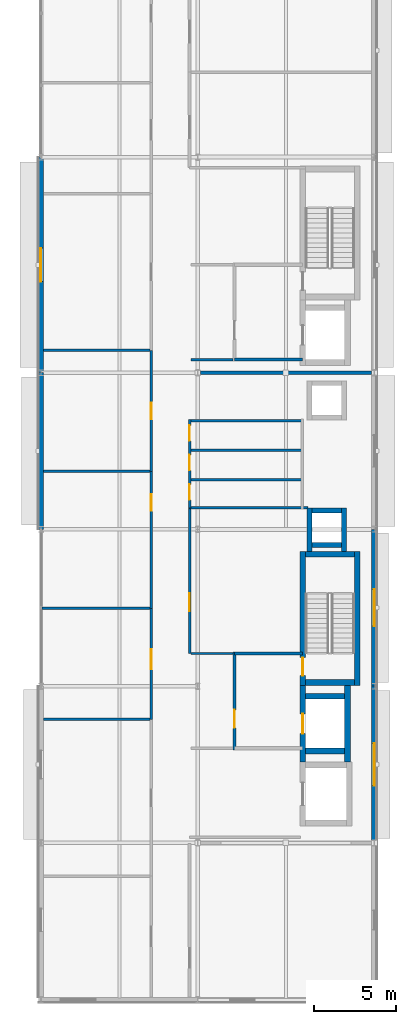
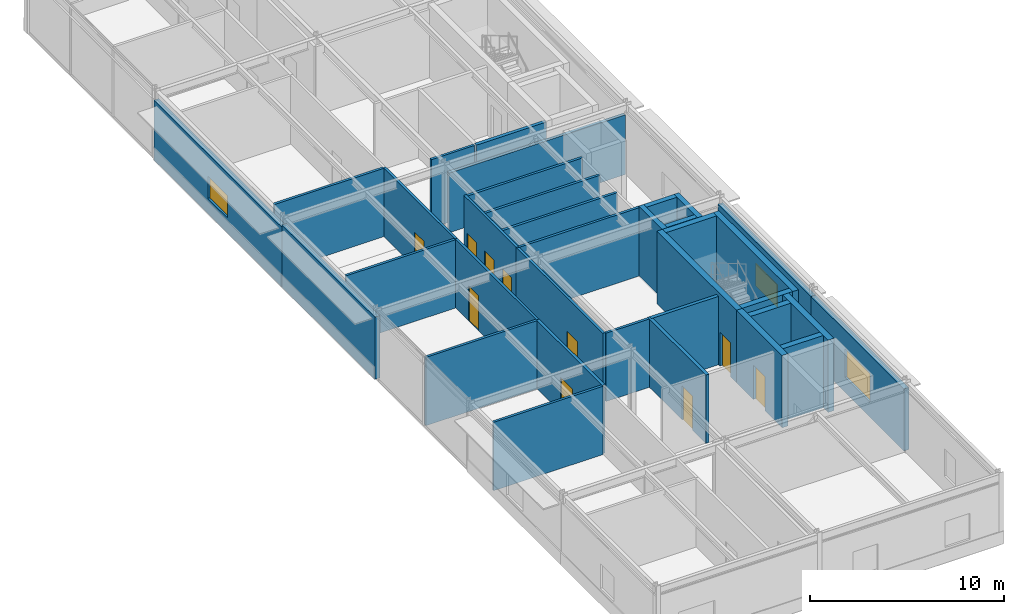
# One storey, part 12 of 17: 35 walls, 10 doors, 3 windows, 13 openings.
"""IFC4 building model written with IfcOpenShell, lengths in metres."""

from ifc_helpers import new_model, si_unit, direction, frame, frame_2d, origin, place, context, subcontext, project, spatial, rectangle, extrude, material, layer, layer_set, type_object, element, fill, save


model = new_model("IFC4")

# Units and contexts
model_context = context("Model", 3, precision=1e-05, world=origin(), true_north=direction((0.0, 1.0)))
body_context = subcontext(model_context, "Body", "Model", "MODEL_VIEW")
ifc_project = project(units=[si_unit("LENGTHUNIT", "METRE"), si_unit("AREAUNIT", "SQUARE_METRE"), si_unit("VOLUMEUNIT", "CUBIC_METRE"), si_unit("PLANEANGLEUNIT", "RADIAN"), si_unit("MASSUNIT", "GRAM", prefix="KILO")], contexts=[model_context])

# Site, building, storey
site_placement = place(None, origin())
site = spatial("IfcSite", under=ifc_project, at=site_placement, CompositionType="ELEMENT")
building_placement = place(site_placement, origin())
building = spatial("IfcBuilding", under=site, at=building_placement, Name="Almandine Court Research Institute", CompositionType="ELEMENT")
storey_placement = place(building_placement, frame((0.0, 0.0, 32.550048828125)))
storey = spatial("IfcBuildingStorey", under=building, at=storey_placement, Name="L07", CompositionType="ELEMENT", Elevation=32.550048828125)

# Wall
ifc_material_1 = material(Name="Insulated Ochre Terracotta Rainscreen Wall", Category="masonry")
ifc_layer_1 = layer(ifc_material_1, 0.2900390625)
ifc_layer_set_1 = layer_set([ifc_layer_1], Name="Insulated Ochre Terracotta Rainscreen Wall")
wall_type_1 = type_object("IfcWallType", Name="Wall-EXT-TERR-290", PredefinedType="SOLIDWALL", material=ifc_layer_set_1)
wall_1_placement = place(storey_placement, frame((153.60009765625, 34.803955078125, 0.0), z_axis=(0.0, 0.0, 1.0), x_axis=(0.0, 1.0, 0.0)))
element("IfcWall", 1, at=wall_1_placement, inside=storey, type_object=wall_type_1, Name="L07 Wet Lab West Facade Wall 4", PredefinedType="SOLIDWALL", context=body_context, shape_type="SweptSolid", body=[
    extrude(rectangle(XDim=9.592041015625, YDim=0.2900390625, at=frame_2d((4.7958984375, 0.0))), origin(), (0.0, 0.0, 1.0), 3.908935546875),
])

# Wall, opening, window
wall_2_placement = place(storey_placement, frame((153.60009765625, 44.404052734375, 0.0), z_axis=(0.0, 0.0, 1.0), x_axis=(0.0, 1.0, 0.0)))
wall_2 = element("IfcWall", 2, at=wall_2_placement, inside=storey, type_object=wall_type_1, Name="L07 Wet Lab West Facade Wall 5", PredefinedType="SOLIDWALL", context=body_context, shape_type="SweptSolid", body=[
    extrude(rectangle(XDim=13.19189453125, YDim=0.2900390625, at=frame_2d((6.595947265625, 0.0))), origin(), (0.0, 0.0, 1.0), 3.7568359375),
])
opening_1_placement = place(wall_2_placement, frame((5.575927734375, 0.0, 0.949951171875)))
opening_1 = element("IfcOpeningElement", 3, at=opening_1_placement, cuts=wall_2, Name="Opening WN-76", PredefinedType="OPENING", context=body_context, shape_type="SweptSolid", body=[
    extrude(rectangle(XDim=2.0400390625, YDim=1.39990234375, at=frame_2d((1.02001953125, 0.699951171875))), frame((0.0, 0.155029296875, 0.0), z_axis=(0.0, -1.0, 0.0), x_axis=(1.0, 0.0, 0.0)), (0.0, 0.0, 1.0), 0.31005859375),
])
ifc_material_2 = material(Name="Thermally Broken Low-E Double-Glazed Window", Category="glass")
window_type_1 = type_object("IfcWindowType", Name="Win-WN-76-2040x1400", PartitioningType="SINGLE_PANEL", PredefinedType="WINDOW", material=ifc_material_2)
window_1_placement = place(opening_1_placement, origin())
window_1 = element("IfcWindow", 4, at=window_1_placement, inside=storey, type_object=window_type_1, Name="L07 Modular Recessed Low-E Window 172", OverallHeight=1.39990234375, OverallWidth=2.0400390625, PartitioningType="SINGLE_PANEL", PredefinedType="WINDOW", context=body_context, shape_type="SweptSolid", body=[
    extrude(rectangle(XDim=2.0400390625, YDim=1.39990234375, at=frame_2d((1.02001953125, 0.699951171875))), frame((0.0, 0.030029296875, 0.0), z_axis=(0.0, -1.0, 0.0), x_axis=(1.0, 0.0, 0.0)), (0.0, 0.0, 1.0), 0.06005859375),
])
fill(opening_1, window_1)

wall_3_placement = place(storey_placement, frame((174.0, 34.7958984375, 0.0), z_axis=(0.0, 0.0, 1.0), x_axis=(0.0, -1.0, 0.0)))
wall_3 = element("IfcWall", 5, at=wall_3_placement, inside=storey, type_object=wall_type_1, Name="L07 Wet Lab East Facade Wall 3", PredefinedType="SOLIDWALL", context=body_context, shape_type="SweptSolid", body=[
    extrude(rectangle(XDim=9.591796875, YDim=0.2900390625, at=frame_2d((4.7958984375, 0.0))), origin(), (0.0, 0.0, 1.0), 3.89892578125),
])
opening_2_placement = place(wall_3_placement, frame((3.666015625, 0.0, 0.949951171875)))
opening_2 = element("IfcOpeningElement", 6, at=opening_2_placement, cuts=wall_3, Name="Opening WN-92", PredefinedType="OPENING", context=body_context, shape_type="SweptSolid", body=[
    extrude(rectangle(XDim=2.260009765625, YDim=1.39990234375, at=frame_2d((1.1298828125, 0.699951171875))), frame((0.0, 0.155029296875, 0.0), z_axis=(0.0, -1.0, 0.0), x_axis=(1.0, 0.0, 0.0)), (0.0, 0.0, 1.0), 0.31005859375),
])
window_type_2 = type_object("IfcWindowType", Name="Win-WN-92-2260x1400", PartitioningType="SINGLE_PANEL", PredefinedType="WINDOW", material=ifc_material_2)
window_2_placement = place(opening_2_placement, origin())
window_2 = element("IfcWindow", 7, at=window_2_placement, inside=storey, type_object=window_type_2, Name="L07 Modular Recessed Low-E Window 178", OverallHeight=1.39990234375, OverallWidth=2.260009765625, PartitioningType="SINGLE_PANEL", PredefinedType="WINDOW", context=body_context, shape_type="SweptSolid", body=[
    extrude(rectangle(XDim=2.260009765625, YDim=1.39990234375, at=frame_2d((1.1298828125, 0.699951171875))), frame((0.0, 0.030029296875, 0.0), z_axis=(0.0, -1.0, 0.0), x_axis=(1.0, 0.0, 0.0)), (0.0, 0.0, 1.0), 0.06005859375),
])
fill(opening_2, window_2)

wall_4_placement = place(storey_placement, frame((174.0, 25.196044921875, 0.0), z_axis=(0.0, 0.0, 1.0), x_axis=(0.0, -1.0, 0.0)))
wall_4 = element("IfcWall", 8, at=wall_4_placement, inside=storey, type_object=wall_type_1, Name="L07 Wet Lab East Facade Wall 2", PredefinedType="SOLIDWALL", context=body_context, shape_type="SweptSolid", body=[
    extrude(rectangle(XDim=9.592041015625, YDim=0.2900390625, at=frame_2d((4.7958984375, 0.0))), origin(), (0.0, 0.0, 1.0), 3.89892578125),
])
opening_3_placement = place(wall_4_placement, frame((3.5009765625, 0.0, 0.949951171875)))
opening_3 = element("IfcOpeningElement", 9, at=opening_3_placement, cuts=wall_4, Name="Opening WN-13", PredefinedType="OPENING", context=body_context, shape_type="SweptSolid", body=[
    extrude(rectangle(XDim=2.590087890625, YDim=1.800048828125, at=frame_2d((1.294921875, 0.89990234375))), frame((0.0, 0.155029296875, 0.0), z_axis=(0.0, -1.0, 0.0), x_axis=(1.0, 0.0, 0.0)), (0.0, 0.0, 1.0), 0.31005859375),
])
window_type_3 = type_object("IfcWindowType", Name="Win-WN-13-2590x1800", PartitioningType="SINGLE_PANEL", PredefinedType="WINDOW", material=ifc_material_2)
window_3_placement = place(opening_3_placement, origin())
window_3 = element("IfcWindow", 10, at=window_3_placement, inside=storey, type_object=window_type_3, Name="L07 Modular Recessed Low-E Window 179", OverallHeight=1.800048828125, OverallWidth=2.590087890625, PartitioningType="SINGLE_PANEL", PredefinedType="WINDOW", context=body_context, shape_type="SweptSolid", body=[
    extrude(rectangle(XDim=2.590087890625, YDim=1.800048828125, at=frame_2d((1.294921875, 0.89990234375))), frame((0.0, 0.030029296875, 0.0), z_axis=(0.0, -1.0, 0.0), x_axis=(1.0, 0.0, 0.0)), (0.0, 0.0, 1.0), 0.06005859375),
])
fill(opening_3, window_3)

# Wall, opening, door
ifc_material_3 = material(Name="One-Hour Fire-Rated Laboratory Partition")
ifc_layer_2 = layer(ifc_material_3, 0.175048828125)
ifc_layer_set_2 = layer_set([ifc_layer_2], Name="One-Hour Fire-Rated Laboratory Partition")
wall_type_2 = type_object("IfcWallType", Name="Wall-FIRE-175", PredefinedType="PARTITIONING", material=ifc_layer_set_2)
wall_5_placement = place(storey_placement, frame((160.35009765625, 23.159912109375, 0.0), z_axis=(0.0, 0.0, 1.0), x_axis=(0.0, 1.0, 0.0)))
wall_5 = element("IfcWall", 11, at=wall_5_placement, inside=storey, type_object=wall_type_2, Name="L07 Interior Partition W-V4-L07-WW-2", PredefinedType="PARTITIONING", context=body_context, shape_type="SweptSolid", body=[
    extrude(rectangle(XDim=6.800048828125, YDim=0.175048828125, at=frame_2d((3.39990234375, 0.0))), origin(), (0.0, 0.0, 1.0), 4.300048828125),
])
opening_4_placement = place(wall_5_placement, frame((3.090087890625, 0.0, 0.0)))
opening_4 = element("IfcOpeningElement", 12, at=opening_4_placement, cuts=wall_5, Name="Opening FD-LAB", PredefinedType="OPENING", context=body_context, shape_type="SweptSolid", body=[
    extrude(rectangle(XDim=1.199951171875, YDim=2.199951171875, at=frame_2d((0.60009765625, 1.10009765625))), frame((0.0, 0.097412109375, 0.0), z_axis=(0.0, -1.0, 0.0), x_axis=(1.0, 0.0, 0.0)), (0.0, 0.0, 1.0), 0.195068359375),
])
ifc_material_4 = material(Name="Fire-Rated Laboratory Containment Door")
door_type_1 = type_object("IfcDoorType", Name="Door-FD-LAB-1200", OperationType="NOTDEFINED", PredefinedType="DOOR", material=ifc_material_4)
door_1_placement = place(opening_4_placement, origin())
door_1 = element("IfcDoor", 13, at=door_1_placement, inside=storey, type_object=door_type_1, Name="L07 Biosciences BSL-2 Laboratory Door", OperationType="SINGLE_SWING_RIGHT", OverallHeight=2.199951171875, OverallWidth=1.199951171875, PredefinedType="DOOR", context=body_context, shape_type="SweptSolid", body=[
    extrude(rectangle(XDim=1.199951171875, YDim=2.199951171875, at=frame_2d((0.60009765625, 1.10009765625))), frame((0.0, 0.02490234375, 0.0), z_axis=(0.0, -1.0, 0.0), x_axis=(1.0, 0.0, 0.0)), (0.0, 0.0, 1.0), 0.050048828125),
])
fill(opening_4, door_1)

# Wall
ifc_material_5 = material(Name="Two-Hour Fire-Barrier Enclosure Wall")
ifc_layer_3 = layer(ifc_material_5, 0.199951171875)
ifc_layer_set_3 = layer_set([ifc_layer_3], Name="Two-Hour Fire-Barrier Enclosure Wall")
wall_type_3 = type_object("IfcWallType", Name="Wall-FIRE-200", PredefinedType="SOLIDWALL", material=ifc_layer_set_3)
wall_6_placement = place(storey_placement, frame((163.360107421875, 44.39990234375, 0.0), z_axis=(0.0, 0.0, 1.0), x_axis=(1.0, 0.0, 0.0)))
element("IfcWall", 14, at=wall_6_placement, inside=storey, type_object=wall_type_3, Name="L07 Interior Partition W-BF-V4-BF2-L07", PredefinedType="SOLIDWALL", context=body_context, shape_type="SweptSolid", body=[
    extrude(rectangle(XDim=10.47998046875, YDim=0.199951171875, at=frame_2d((5.239990234375, 0.0))), origin(), (0.0, 0.0, 1.0), 3.7529296875),
])

# Wall, opening, door
wall_7_placement = place(storey_placement, frame((165.449951171875, 21.300048828125, 0.0), z_axis=(0.0, 0.0, 1.0), x_axis=(0.0, 1.0, 0.0)))
wall_7 = element("IfcWall", 15, at=wall_7_placement, inside=storey, type_object=wall_type_3, Name="L07 Interior Partition W-FFL1-L07-W", PredefinedType="SOLIDWALL", context=body_context, shape_type="SweptSolid", body=[
    extrude(rectangle(XDim=6.0, YDim=0.199951171875, at=frame_2d((3.0, 0.0))), origin(), (0.0, 0.0, 1.0), 4.300048828125),
])
opening_5_placement = place(wall_7_placement, frame((1.35009765625, 0.0, 0.0)))
opening_5 = element("IfcOpeningElement", 16, at=opening_5_placement, cuts=wall_7, Name="Opening FD-FFL", PredefinedType="OPENING", context=body_context, shape_type="SweptSolid", body=[
    extrude(rectangle(XDim=1.10009765625, YDim=2.14990234375, at=frame_2d((0.550048828125, 1.074951171875))), frame((0.0, 0.10986328125, 0.0), z_axis=(0.0, -1.0, 0.0), x_axis=(1.0, 0.0, 0.0)), (0.0, 0.0, 1.0), 0.219970703125),
])
ifc_material_6 = material(Name="Smoke-Tight Firefighting Lobby Fire Door")
door_type_2 = type_object("IfcDoorType", Name="Door-FD-FFL-1100", OperationType="NOTDEFINED", PredefinedType="DOOR", material=ifc_material_6)
door_2_placement = place(opening_5_placement, origin())
door_2 = element("IfcDoor", 17, at=door_2_placement, inside=storey, type_object=door_type_2, Name="L07 Firefighting Lobby Fire Door 1", OperationType="SINGLE_SWING_LEFT", OverallHeight=2.14990234375, OverallWidth=1.10009765625, PredefinedType="DOOR", context=body_context, shape_type="SweptSolid", body=[
    extrude(rectangle(XDim=1.10009765625, YDim=2.14990234375, at=frame_2d((0.550048828125, 1.074951171875))), frame((0.0, 0.02490234375, 0.0), z_axis=(0.0, -1.0, 0.0), x_axis=(1.0, 0.0, 0.0)), (0.0, 0.0, 1.0), 0.050048828125),
])
fill(opening_5, door_2)

# Walls
for number, where, z_axis, x_axis, name in (
    (18, (165.449951171875, 27.199951171875, 0.0), (0.0, 0.0, 1.0), (1.0, 0.0, 0.0), "L07 Interior Partition W-FFL1-L07-N"),
    (19, (165.449951171875, 45.199951171875, 0.0), (0.0, 0.0, 1.0), (1.0, 0.0, 0.0), "L07 Interior Partition W-FFL2-L07-S"),
):
    element("IfcWall", number, at=place(storey_placement, frame(where, z_axis=z_axis, x_axis=x_axis)), inside=storey, type_object=wall_type_3, Name=name, PredefinedType="SOLIDWALL", context=body_context, shape_type="SweptSolid", body=[
        extrude(rectangle(XDim=4.150146484375, YDim=0.199951171875, at=frame_2d((2.0751953125, 0.0))), origin(), (0.0, 0.0, 1.0), 4.300048828125),
    ])
ifc_material_7 = material(Name="Acoustic Steel-Stud Gypsum Partition Wall", Category="steel")
ifc_layer_4 = layer(ifc_material_7, 0.14990234375)
ifc_layer_set_4 = layer_set([ifc_layer_4], Name="Acoustic Steel-Stud Gypsum Partition Wall")
wall_type_4 = type_object("IfcWallType", Name="Wall-PART-150", PredefinedType="PARTITIONING", material=ifc_layer_set_4)
for number, where, z_axis, x_axis, name in (
    (20, (162.699951171875, 37.85009765625, 0.0), (0.0, 0.0, 1.0), (1.0, 0.0, 0.0), "L07 Interior Partition W-V4-L07-WCH-1"),
    (21, (162.699951171875, 39.64990234375, 0.0), (0.0, 0.0, 1.0), (1.0, 0.0, 0.0), "L07 Interior Partition W-V4-L07-WCH-2"),
    (22, (162.699951171875, 41.449951171875, 0.0), (0.0, 0.0, 1.0), (1.0, 0.0, 0.0), "L07 Interior Partition W-V4-L07-WCH-3"),
):
    element("IfcWall", number, at=place(storey_placement, frame(where, z_axis=z_axis, x_axis=x_axis)), inside=storey, type_object=wall_type_4, Name=name, PredefinedType="PARTITIONING", context=body_context, shape_type="SweptSolid", body=[
        extrude(rectangle(XDim=6.900146484375, YDim=0.14990234375, at=frame_2d((3.4501953125, 0.0))), origin(), (0.0, 0.0, 1.0), 4.300048828125),
    ])
wall_8_placement = place(storey_placement, frame((162.699951171875, 36.1201171875, 0.0), z_axis=(0.0, 0.0, 1.0), x_axis=(1.0, 0.0, 0.0)))
element("IfcWall", 23, at=wall_8_placement, inside=storey, type_object=wall_type_4, Name="L07 Interior Partition W-V4-L07-WCS", PredefinedType="PARTITIONING", context=body_context, shape_type="SweptSolid", body=[
    extrude(rectangle(XDim=7.25, YDim=0.14990234375, at=frame_2d((3.625, 0.0))), origin(), (0.0, 0.0, 1.0), 4.300048828125),
])

# Wall, openings, doors
wall_9_placement = place(storey_placement, frame((162.699951171875, 36.1201171875, 0.0), z_axis=(0.0, 0.0, 1.0), x_axis=(0.0, 1.0, 0.0)))
wall_9 = element("IfcWall", 24, at=wall_9_placement, inside=storey, type_object=wall_type_4, Name="L07 Interior Partition W-V4-L07-WC-ALL", PredefinedType="PARTITIONING", context=body_context, shape_type="SweptSolid", body=[
    extrude(rectangle(XDim=5.39990234375, YDim=0.14990234375, at=frame_2d((2.699951171875, 0.0))), origin(), (0.0, 0.0, 1.0), 4.300048828125),
])
opening_6_placement = place(wall_9_placement, frame((0.47998046875, 0.0, 0.0)))
opening_6 = element("IfcOpeningElement", 25, at=opening_6_placement, cuts=wall_9, Name="Opening D-01", PredefinedType="OPENING", context=body_context, shape_type="SweptSolid", body=[
    extrude(rectangle(XDim=0.949951171875, YDim=2.10009765625, at=frame_2d((0.47509765625, 1.050048828125))), frame((0.0, 0.0849609375, 0.0), z_axis=(0.0, -1.0, 0.0), x_axis=(1.0, 0.0, 0.0)), (0.0, 0.0, 1.0), 0.169921875),
])
opening_7_placement = place(wall_9_placement, frame((2.300048828125, 0.0, 0.0)))
opening_7 = element("IfcOpeningElement", 26, at=opening_7_placement, cuts=wall_9, Name="Opening D-01", PredefinedType="OPENING", context=body_context, shape_type="SweptSolid", body=[
    extrude(rectangle(XDim=0.949951171875, YDim=2.10009765625, at=frame_2d((0.47509765625, 1.050048828125))), frame((0.0, 0.0849609375, 0.0), z_axis=(0.0, -1.0, 0.0), x_axis=(1.0, 0.0, 0.0)), (0.0, 0.0, 1.0), 0.169921875),
])
opening_8_placement = place(wall_9_placement, frame((4.10009765625, 0.0, 0.0)))
opening_8 = element("IfcOpeningElement", 27, at=opening_8_placement, cuts=wall_9, Name="Opening D-01", PredefinedType="OPENING", context=body_context, shape_type="SweptSolid", body=[
    extrude(rectangle(XDim=0.949951171875, YDim=2.10009765625, at=frame_2d((0.47509765625, 1.050048828125))), frame((0.0, 0.0849609375, 0.0), z_axis=(0.0, -1.0, 0.0), x_axis=(1.0, 0.0, 0.0)), (0.0, 0.0, 1.0), 0.169921875),
])
ifc_material_8 = material(Name="Solid-Core Timber Acoustic Room Door", Category="wood")
door_type_3 = type_object("IfcDoorType", Name="Door-INT-950", OperationType="NOTDEFINED", PredefinedType="DOOR", material=ifc_material_8)
door_3_placement = place(opening_6_placement, origin())
door_3 = element("IfcDoor", 28, at=door_3_placement, inside=storey, type_object=door_type_3, Name="L07 V4 Male Toilet Door", OperationType="SINGLE_SWING_LEFT", OverallHeight=2.10009765625, OverallWidth=0.949951171875, PredefinedType="DOOR", context=body_context, shape_type="SweptSolid", body=[
    extrude(rectangle(XDim=0.949951171875, YDim=2.10009765625, at=frame_2d((0.47509765625, 1.050048828125))), frame((0.0, 0.02490234375, 0.0), z_axis=(0.0, -1.0, 0.0), x_axis=(1.0, 0.0, 0.0)), (0.0, 0.0, 1.0), 0.050048828125),
])
fill(opening_6, door_3)
door_4_placement = place(opening_7_placement, origin())
door_4 = element("IfcDoor", 29, at=door_4_placement, inside=storey, type_object=door_type_3, Name="L07 V4 Female Toilet Door", OperationType="SINGLE_SWING_RIGHT", OverallHeight=2.10009765625, OverallWidth=0.949951171875, PredefinedType="DOOR", context=body_context, shape_type="SweptSolid", body=[
    extrude(rectangle(XDim=0.949951171875, YDim=2.10009765625, at=frame_2d((0.47509765625, 1.050048828125))), frame((0.0, 0.02490234375, 0.0), z_axis=(0.0, -1.0, 0.0), x_axis=(1.0, 0.0, 0.0)), (0.0, 0.0, 1.0), 0.050048828125),
])
fill(opening_7, door_4)
door_5_placement = place(opening_8_placement, origin())
door_5 = element("IfcDoor", 30, at=door_5_placement, inside=storey, type_object=door_type_3, Name="L07 V4 Accessible WC Door", OperationType="SINGLE_SWING_LEFT", OverallHeight=2.10009765625, OverallWidth=0.949951171875, PredefinedType="DOOR", context=body_context, shape_type="SweptSolid", body=[
    extrude(rectangle(XDim=0.949951171875, YDim=2.10009765625, at=frame_2d((0.47509765625, 1.050048828125))), frame((0.0, 0.02490234375, 0.0), z_axis=(0.0, -1.0, 0.0), x_axis=(1.0, 0.0, 0.0)), (0.0, 0.0, 1.0), 0.050048828125),
])
fill(opening_8, door_5)

# Walls
wall_10_placement = place(storey_placement, frame((153.760009765625, 23.159912109375, 0.0), z_axis=(0.0, 0.0, 1.0), x_axis=(1.0, 0.0, 0.0)))
element("IfcWall", 31, at=wall_10_placement, inside=storey, type_object=wall_type_4, Name="L07 Interior Partition W-V4-L07-WDIV-1", PredefinedType="PARTITIONING", context=body_context, shape_type="SweptSolid", body=[
    extrude(rectangle(XDim=6.510009765625, YDim=0.14990234375, at=frame_2d((3.2548828125, 0.0))), origin(), (0.0, 0.0, 1.0), 4.300048828125),
])
wall_11_placement = place(storey_placement, frame((153.659912109375, 29.9599609375, 0.0), z_axis=(0.0, 0.0, 1.0), x_axis=(1.0, 0.0, 0.0)))
element("IfcWall", 32, at=wall_11_placement, inside=storey, type_object=wall_type_4, Name="L07 Interior Partition W-V4-L07-WDIV-2", PredefinedType="PARTITIONING", context=body_context, shape_type="SweptSolid", body=[
    extrude(rectangle(XDim=6.610107421875, YDim=0.14990234375, at=frame_2d((3.30517578125, 0.0))), origin(), (0.0, 0.0, 1.0), 4.300048828125),
])

# Wall, opening, door
wall_12_placement = place(storey_placement, frame((160.35009765625, 29.9599609375, 0.0), z_axis=(0.0, 0.0, 1.0), x_axis=(0.0, 1.0, 0.0)))
wall_12 = element("IfcWall", 33, at=wall_12_placement, inside=storey, type_object=wall_type_4, Name="L07 Interior Partition W-V4-L07-WW-3", PredefinedType="PARTITIONING", context=body_context, shape_type="SweptSolid", body=[
    extrude(rectangle(XDim=8.400146484375, YDim=0.14990234375, at=frame_2d((4.2001953125, 0.0))), origin(), (0.0, 0.0, 1.0), 4.300048828125),
])
opening_9_placement = place(wall_12_placement, frame((5.989990234375, 0.0, 0.0)))
opening_9 = element("IfcOpeningElement", 34, at=opening_9_placement, cuts=wall_12, Name="Opening D-02", PredefinedType="OPENING", context=body_context, shape_type="SweptSolid", body=[
    extrude(rectangle(XDim=1.0, YDim=2.199951171875, at=frame_2d((0.5, 1.10009765625))), frame((0.0, 0.0849609375, 0.0), z_axis=(0.0, -1.0, 0.0), x_axis=(1.0, 0.0, 0.0)), (0.0, 0.0, 1.0), 0.169921875),
])
ifc_material_9 = material(Name="Solid-Core Timber Researcher Office Door", Category="wood")
door_type_4 = type_object("IfcDoorType", Name="Door-INT-1000", OperationType="NOTDEFINED", PredefinedType="DOOR", material=ifc_material_9)
door_6_placement = place(opening_9_placement, origin())
door_6 = element("IfcDoor", 35, at=door_6_placement, inside=storey, type_object=door_type_4, Name="L07 Seminar Room Door", OperationType="SINGLE_SWING_LEFT", OverallHeight=2.199951171875, OverallWidth=1.0, PredefinedType="DOOR", context=body_context, shape_type="SweptSolid", body=[
    extrude(rectangle(XDim=1.0, YDim=2.199951171875, at=frame_2d((0.5, 1.10009765625))), frame((0.0, 0.02490234375, 0.0), z_axis=(0.0, -1.0, 0.0), x_axis=(1.0, 0.0, 0.0)), (0.0, 0.0, 1.0), 0.050048828125),
])
fill(opening_9, door_6)

# Wall
wall_13_placement = place(storey_placement, frame((153.760009765625, 38.360107421875, 0.0), z_axis=(0.0, 0.0, 1.0), x_axis=(1.0, 0.0, 0.0)))
element("IfcWall", 36, at=wall_13_placement, inside=storey, type_object=wall_type_4, Name="L07 Interior Partition W-V4-L07-WDIV-3", PredefinedType="PARTITIONING", context=body_context, shape_type="SweptSolid", body=[
    extrude(rectangle(XDim=6.510009765625, YDim=0.14990234375, at=frame_2d((3.2548828125, 0.0))), origin(), (0.0, 0.0, 1.0), 4.300048828125),
])

# Wall, opening, door
wall_14_placement = place(storey_placement, frame((160.35009765625, 38.360107421875, 0.0), z_axis=(0.0, 0.0, 1.0), x_axis=(0.0, 1.0, 0.0)))
wall_14 = element("IfcWall", 37, at=wall_14_placement, inside=storey, type_object=wall_type_4, Name="L07 Interior Partition W-V4-L07-WW-4", PredefinedType="PARTITIONING", context=body_context, shape_type="SweptSolid", body=[
    extrude(rectangle(XDim=7.39990234375, YDim=0.14990234375, at=frame_2d((3.699951171875, 0.0))), origin(), (0.0, 0.0, 1.0), 4.300048828125),
])
opening_10_placement = place(wall_14_placement, frame((3.199951171875, 0.0, 0.0)))
opening_10 = element("IfcOpeningElement", 38, at=opening_10_placement, cuts=wall_14, Name="Opening D-02", PredefinedType="OPENING", context=body_context, shape_type="SweptSolid", body=[
    extrude(rectangle(XDim=1.0, YDim=2.199951171875, at=frame_2d((0.5, 1.10009765625))), frame((0.0, 0.0849609375, 0.0), z_axis=(0.0, -1.0, 0.0), x_axis=(1.0, 0.0, 0.0)), (0.0, 0.0, 1.0), 0.169921875),
])
door_7_placement = place(opening_10_placement, origin())
door_7 = element("IfcDoor", 39, at=door_7_placement, inside=storey, type_object=door_type_4, Name="L07 Instrument Room Door", OperationType="SINGLE_SWING_RIGHT", OverallHeight=2.199951171875, OverallWidth=1.0, PredefinedType="DOOR", context=body_context, shape_type="SweptSolid", body=[
    extrude(rectangle(XDim=1.0, YDim=2.199951171875, at=frame_2d((0.5, 1.10009765625))), frame((0.0, 0.02490234375, 0.0), z_axis=(0.0, -1.0, 0.0), x_axis=(1.0, 0.0, 0.0)), (0.0, 0.0, 1.0), 0.050048828125),
])
fill(opening_10, door_7)

# Walls
wall_15_placement = place(storey_placement, frame((153.760009765625, 45.760009765625, 0.0), z_axis=(0.0, 0.0, 1.0), x_axis=(1.0, 0.0, 0.0)))
element("IfcWall", 40, at=wall_15_placement, inside=storey, type_object=wall_type_4, Name="L07 Interior Partition W-V4-L07-WDIV-4", PredefinedType="PARTITIONING", context=body_context, shape_type="SweptSolid", body=[
    extrude(rectangle(XDim=6.510009765625, YDim=0.14990234375, at=frame_2d((3.2548828125, 0.0))), origin(), (0.0, 0.0, 1.0), 4.300048828125),
])
wall_16_placement = place(storey_placement, frame((162.780029296875, 27.199951171875, 0.0), z_axis=(0.0, 0.0, 1.0), x_axis=(1.0, 0.0, 0.0)))
element("IfcWall", 41, at=wall_16_placement, inside=storey, type_object=wall_type_4, Name="L07 Interior Partition W-V4-L07-SPEC-S", PredefinedType="PARTITIONING", context=body_context, shape_type="SweptSolid", body=[
    extrude(rectangle(XDim=2.570068359375, YDim=0.14990234375, at=frame_2d((1.28515625, 0.0))), origin(), (0.0, 0.0, 1.0), 4.300048828125),
])

# Wall, opening, door
wall_17_placement = place(storey_placement, frame((162.699951171875, 27.199951171875, 0.0), z_axis=(0.0, 0.0, 1.0), x_axis=(0.0, 1.0, 0.0)))
wall_17 = element("IfcWall", 42, at=wall_17_placement, inside=storey, type_object=wall_type_4, Name="L07 Interior Partition W-V4-L07-EW-M", PredefinedType="PARTITIONING", context=body_context, shape_type="SweptSolid", body=[
    extrude(rectangle(XDim=8.920166015625, YDim=0.14990234375, at=frame_2d((4.4599609375, 0.0))), origin(), (0.0, 0.0, 1.0), 4.300048828125),
])
opening_11_placement = place(wall_17_placement, frame((2.60009765625, 0.0, 0.0)))
opening_11 = element("IfcOpeningElement", 43, at=opening_11_placement, cuts=wall_17, Name="Opening D-03", PredefinedType="OPENING", context=body_context, shape_type="SweptSolid", body=[
    extrude(rectangle(XDim=1.10009765625, YDim=2.199951171875, at=frame_2d((0.550048828125, 1.10009765625))), frame((0.0, 0.0849609375, 0.0), z_axis=(0.0, -1.0, 0.0), x_axis=(1.0, 0.0, 0.0)), (0.0, 0.0, 1.0), 0.169921875),
])
ifc_material_10 = material(Name="Acoustic Vision-Panel Seminar Door")
door_type_5 = type_object("IfcDoorType", Name="Door-INT-1100", OperationType="NOTDEFINED", PredefinedType="DOOR", material=ifc_material_10)
door_8_placement = place(opening_11_placement, origin())
door_8 = element("IfcDoor", 44, at=door_8_placement, inside=storey, type_object=door_type_5, Name="L07 Spectroscopy Suite Door", OperationType="SINGLE_SWING_RIGHT", OverallHeight=2.199951171875, OverallWidth=1.10009765625, PredefinedType="DOOR", context=body_context, shape_type="SweptSolid", body=[
    extrude(rectangle(XDim=1.10009765625, YDim=2.199951171875, at=frame_2d((0.550048828125, 1.10009765625))), frame((0.0, 0.02490234375, 0.0), z_axis=(0.0, -1.0, 0.0), x_axis=(1.0, 0.0, 0.0)), (0.0, 0.0, 1.0), 0.050048828125),
])
fill(opening_11, door_8)

# Walls
wall_18_placement = place(storey_placement, frame((162.780029296875, 45.199951171875, 0.0), z_axis=(0.0, 0.0, 1.0), x_axis=(1.0, 0.0, 0.0)))
element("IfcWall", 45, at=wall_18_placement, inside=storey, type_object=wall_type_4, Name="L07 Interior Partition W-V4-L07-FFL2-CS", PredefinedType="PARTITIONING", context=body_context, shape_type="SweptSolid", body=[
    extrude(rectangle(XDim=2.570068359375, YDim=0.14990234375, at=frame_2d((1.28515625, 0.0))), origin(), (0.0, 0.0, 1.0), 4.300048828125),
])
ifc_material_11 = material(Name="Concrete C40/50", Category="concrete")
ifc_layer_5 = layer(ifc_material_11, 0.300048828125)
ifc_layer_set_5 = layer_set([ifc_layer_5], Name="Concrete C40/50")
wall_type_5 = type_object("IfcWallType", Name="Wall-SW-CORE-300", PredefinedType="SHEAR", material=ifc_layer_set_5)
wall_19_placement = place(storey_placement, frame((170.050048828125, 33.449951171875, 0.0), z_axis=(0.0, 0.0, 1.0), x_axis=(0.0, 1.0, 0.0)))
element("IfcWall", 46, at=wall_19_placement, inside=storey, type_object=wall_type_5, Name="L07 MEP Riser RS-V4A W Shear Wall", PredefinedType="SHEAR", context=body_context, shape_type="SweptSolid", body=[
    extrude(rectangle(XDim=2.650146484375, YDim=0.300048828125, at=frame_2d((1.3251953125, 0.0))), origin(), (0.0, 0.0, 1.0), 4.369873046875),
])
wall_20_placement = place(storey_placement, frame((170.199951171875, 35.949951171875, 0.0), z_axis=(0.0, 0.0, 1.0), x_axis=(1.0, 0.0, 0.0)))
element("IfcWall", 47, at=wall_20_placement, inside=storey, type_object=wall_type_5, Name="L07 MEP Riser RS-V4A N Shear Wall", PredefinedType="SHEAR", context=body_context, shape_type="SweptSolid", body=[
    extrude(rectangle(XDim=1.800048828125, YDim=0.300048828125, at=frame_2d((0.89990234375, 0.0))), origin(), (0.0, 0.0, 1.0), 4.369873046875),
])
wall_21_placement = place(storey_placement, frame((172.14990234375, 36.10009765625, 0.0), z_axis=(0.0, 0.0, 1.0), x_axis=(0.0, -1.0, 0.0)))
element("IfcWall", 48, at=wall_21_placement, inside=storey, type_object=wall_type_5, Name="L07 MEP Riser RS-V4A E Shear Wall", PredefinedType="SHEAR", context=body_context, shape_type="SweptSolid", body=[
    extrude(rectangle(XDim=2.650146484375, YDim=0.300048828125, at=frame_2d((1.3251953125, 0.0))), origin(), (0.0, 0.0, 1.0), 4.369873046875),
])
wall_22_placement = place(storey_placement, frame((172.0, 33.85009765625, 0.0), z_axis=(0.0, 0.0, 1.0), x_axis=(-1.0, 0.0, 0.0)))
element("IfcWall", 49, at=wall_22_placement, inside=storey, type_object=wall_type_5, Name="L07 MEP Riser RS-V4A S Shear Wall", PredefinedType="SHEAR", context=body_context, shape_type="SweptSolid", body=[
    extrude(rectangle(XDim=1.800048828125, YDim=0.300048828125, at=frame_2d((0.89990234375, 0.0))), origin(), (0.0, 0.0, 1.0), 4.369873046875),
])

# Wall, opening, door
ifc_layer_6 = layer(ifc_material_11, 0.35009765625)
ifc_layer_set_6 = layer_set([ifc_layer_6], Name="Concrete C40/50")
wall_type_6 = type_object("IfcWallType", Name="Wall-SW-CORE-350", PredefinedType="SHEAR", material=ifc_layer_set_6)
wall_23_placement = place(storey_placement, frame((169.625, 25.25, 0.0), z_axis=(0.0, 0.0, 1.0), x_axis=(0.0, 1.0, 0.0)))
wall_23 = element("IfcWall", 50, at=wall_23_placement, inside=storey, type_object=wall_type_6, Name="L07 ST-07 W Shear Wall", PredefinedType="SHEAR", context=body_context, shape_type="SweptSolid", body=[
    extrude(rectangle(XDim=8.199951171875, YDim=0.35009765625, at=frame_2d((4.10009765625, 0.0))), origin(), (0.0, 0.0, 1.0), 4.550048828125),
])
opening_12_placement = place(wall_23_placement, frame((0.60009765625, 0.0, 0.0)))
opening_12 = element("IfcOpeningElement", 51, at=opening_12_placement, cuts=wall_23, Name="Opening FD-STAIR", PredefinedType="OPENING", context=body_context, shape_type="SweptSolid", body=[
    extrude(rectangle(XDim=1.10009765625, YDim=2.14990234375, at=frame_2d((0.550048828125, 1.074951171875))), frame((0.0, 0.18505859375, 0.0), z_axis=(0.0, -1.0, 0.0), x_axis=(1.0, 0.0, 0.0)), (0.0, 0.0, 1.0), 0.3701171875),
])
ifc_material_12 = material(Name="Self-Closing Steel Exit Stair Fire Door", Category="steel")
door_type_6 = type_object("IfcDoorType", Name="Door-FD-STAIR-1100", OperationType="NOTDEFINED", PredefinedType="DOOR", material=ifc_material_12)
door_9_placement = place(opening_12_placement, origin())
door_9 = element("IfcDoor", 52, at=door_9_placement, inside=storey, type_object=door_type_6, Name="L07 Exit Stair ST-07 Fire Door", OperationType="SINGLE_SWING_RIGHT", OverallHeight=2.14990234375, OverallWidth=1.10009765625, PredefinedType="DOOR", context=body_context, shape_type="SweptSolid", body=[
    extrude(rectangle(XDim=1.10009765625, YDim=2.14990234375, at=frame_2d((0.550048828125, 1.074951171875))), frame((0.0, 0.02490234375, 0.0), z_axis=(0.0, -1.0, 0.0), x_axis=(1.0, 0.0, 0.0)), (0.0, 0.0, 1.0), 0.050048828125),
])
fill(opening_12, door_9)

# Walls
wall_24_placement = place(storey_placement, frame((169.800048828125, 33.27490234375, 0.0), z_axis=(0.0, 0.0, 1.0), x_axis=(1.0, 0.0, 0.0)))
element("IfcWall", 53, at=wall_24_placement, inside=storey, type_object=wall_type_6, Name="L07 ST-07 N Shear Wall", PredefinedType="SHEAR", context=body_context, shape_type="SweptSolid", body=[
    extrude(rectangle(XDim=3.0, YDim=0.35009765625, at=frame_2d((1.5, 0.0))), origin(), (0.0, 0.0, 1.0), 4.550048828125),
])
wall_25_placement = place(storey_placement, frame((172.97509765625, 33.449951171875, 0.0), z_axis=(0.0, 0.0, 1.0), x_axis=(0.0, -1.0, 0.0)))
element("IfcWall", 54, at=wall_25_placement, inside=storey, type_object=wall_type_6, Name="L07 ST-07 E Shear Wall", PredefinedType="SHEAR", context=body_context, shape_type="SweptSolid", body=[
    extrude(rectangle(XDim=8.199951171875, YDim=0.35009765625, at=frame_2d((4.10009765625, 0.0))), origin(), (0.0, 0.0, 1.0), 4.550048828125),
])
wall_26_placement = place(storey_placement, frame((172.800048828125, 25.425048828125, 0.0), z_axis=(0.0, 0.0, 1.0), x_axis=(-1.0, 0.0, 0.0)))
element("IfcWall", 55, at=wall_26_placement, inside=storey, type_object=wall_type_6, Name="L07 ST-07 S Shear Wall", PredefinedType="SHEAR", context=body_context, shape_type="SweptSolid", body=[
    extrude(rectangle(XDim=3.0, YDim=0.35009765625, at=frame_2d((1.5, 0.0))), origin(), (0.0, 0.0, 1.0), 4.550048828125),
])

# Wall, opening, door
wall_27_placement = place(storey_placement, frame((169.625, 20.550048828125, 0.0), z_axis=(0.0, 0.0, 1.0), x_axis=(0.0, 1.0, 0.0)))
wall_27 = element("IfcWall", 56, at=wall_27_placement, inside=storey, type_object=wall_type_6, Name="L07 FL-01 Hoistway W Shear Wall", PredefinedType="SHEAR", context=body_context, shape_type="SweptSolid", body=[
    extrude(rectangle(XDim=4.699951171875, YDim=0.35009765625, at=frame_2d((2.35009765625, 0.0))), origin(), (0.0, 0.0, 1.0), 4.550048828125),
])
opening_13_placement = place(wall_27_placement, frame((1.75, 0.0, 0.0)))
opening_13 = element("IfcOpeningElement", 57, at=opening_13_placement, cuts=wall_27, Name="Opening LD-02", PredefinedType="OPENING", context=body_context, shape_type="SweptSolid", body=[
    extrude(rectangle(XDim=1.199951171875, YDim=2.14990234375, at=frame_2d((0.60009765625, 1.074951171875))), frame((0.0, 0.18505859375, 0.0), z_axis=(0.0, -1.0, 0.0), x_axis=(1.0, 0.0, 0.0)), (0.0, 0.0, 1.0), 0.3701171875),
])
ifc_material_13 = material(Name="Firefighting Lift Landing Sliding Door")
door_type_7 = type_object("IfcDoorType", Name="Door-LD-FSAE-1200", OperationType="SLIDING_TO_LEFT", PredefinedType="USERDEFINED", material=ifc_material_13)
door_10_placement = place(opening_13_placement, origin())
door_10 = element("IfcDoor", 58, at=door_10_placement, inside=storey, type_object=door_type_7, Name="L07 Firefighting Lift FL-01 Sliding Landing Door", ObjectType="LANDING DOOR", OperationType="SLIDING_TO_LEFT", OverallHeight=2.14990234375, OverallWidth=1.199951171875, PredefinedType="USERDEFINED", context=body_context, shape_type="SweptSolid", body=[
    extrude(rectangle(XDim=1.199951171875, YDim=2.14990234375, at=frame_2d((0.60009765625, 1.074951171875))), frame((0.0, 0.02490234375, 0.0), z_axis=(0.0, -1.0, 0.0), x_axis=(1.0, 0.0, 0.0)), (0.0, 0.0, 1.0), 0.050048828125),
])
fill(opening_13, door_10)

# Walls
wall_28_placement = place(storey_placement, frame((169.800048828125, 24.574951171875, 0.0), z_axis=(0.0, 0.0, 1.0), x_axis=(1.0, 0.0, 0.0)))
element("IfcWall", 59, at=wall_28_placement, inside=storey, type_object=wall_type_6, Name="L07 FL-01 Hoistway N Shear Wall", PredefinedType="SHEAR", context=body_context, shape_type="SweptSolid", body=[
    extrude(rectangle(XDim=2.39990234375, YDim=0.35009765625, at=frame_2d((1.199951171875, 0.0))), origin(), (0.0, 0.0, 1.0), 4.550048828125),
])
wall_29_placement = place(storey_placement, frame((172.375, 25.25, 0.0), z_axis=(0.0, 0.0, 1.0), x_axis=(0.0, -1.0, 0.0)))
element("IfcWall", 60, at=wall_29_placement, inside=storey, type_object=wall_type_6, Name="L07 FL-01 Hoistway E Shear Wall", PredefinedType="SHEAR", context=body_context, shape_type="SweptSolid", body=[
    extrude(rectangle(XDim=4.699951171875, YDim=0.35009765625, at=frame_2d((2.35009765625, 0.0))), origin(), (0.0, 0.0, 1.0), 4.550048828125),
])
wall_30_placement = place(storey_placement, frame((172.199951171875, 21.22509765625, 0.0), z_axis=(0.0, 0.0, 1.0), x_axis=(-1.0, 0.0, 0.0)))
element("IfcWall", 61, at=wall_30_placement, inside=storey, type_object=wall_type_6, Name="L07 FL-01 Hoistway S Shear Wall", PredefinedType="SHEAR", context=body_context, shape_type="SweptSolid", body=[
    extrude(rectangle(XDim=2.39990234375, YDim=0.35009765625, at=frame_2d((1.199951171875, 0.0))), origin(), (0.0, 0.0, 1.0), 4.550048828125),
])

save(model, "model.ifc")
